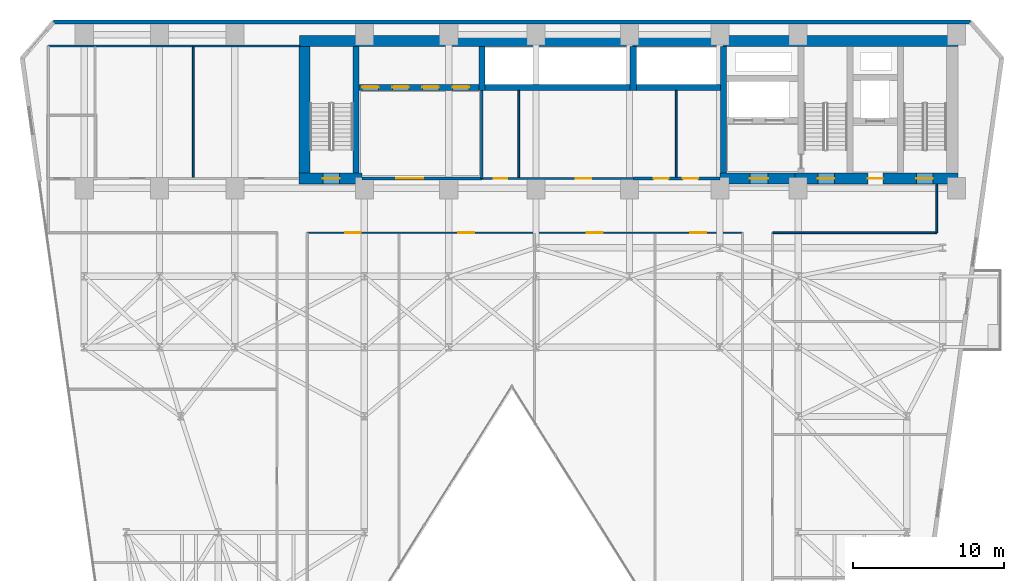
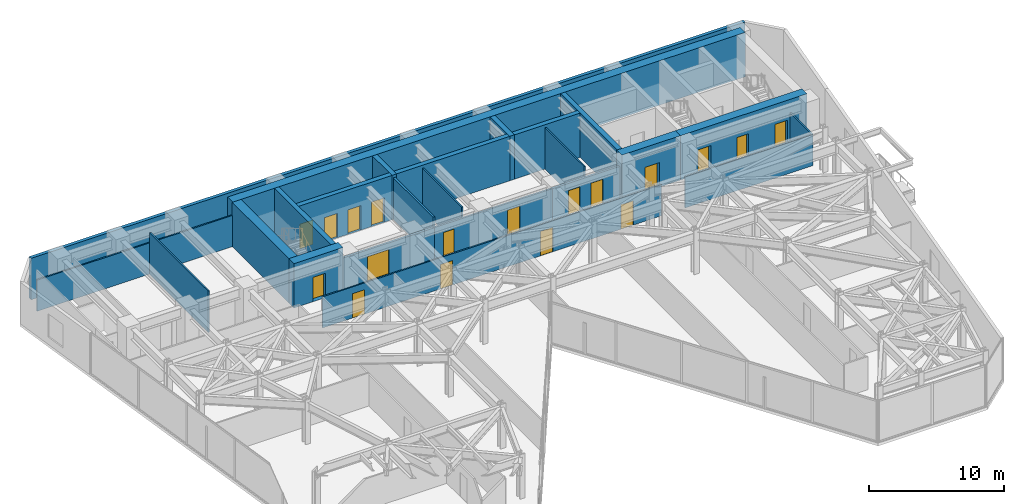
# One storey, part 20 of 24: 24 walls, 18 doors, 18 openings.
"""IFC4 building model written with IfcOpenShell, lengths in metres."""

import ifcopenshell
import ifcopenshell.guid

model = None  # the IFC model being written
_history = None  # IfcOwnerHistory: only IFC2X3 demands one
_inside = {}  # id of a spatial element -> (the spatial element, [elements in it])
_under = {}  # id of a project, library or spatial element -> (it, [spatial elements below it])
_declared = {}  # id of a project -> (the project, [libraries it declares])
_typed = {}  # id of a type object -> (the type object, [elements of that type])
_made_of = {}  # id of a material, layer set ... -> (it, [elements and type objects made of it])


def new_model(schema):
    """Start an empty IFC model of exactly this schema.

    Asked for "IFC4X3", IfcOpenShell would pick the latest addendum, in which some entities
    have other attributes; the version numbers below select the first issue.
    IFC2X3 requires an IfcOwnerHistory on every rooted entity: one is made here for all.
    """
    global model, _history
    if schema == "IFC4X3":
        model = ifcopenshell.file(schema_version=(4, 3, 0, 0))
    else:
        model = ifcopenshell.file(schema=schema)
    _inside.clear()
    _under.clear()
    _declared.clear()
    _typed.clear()
    _made_of.clear()
    _history = None
    if model.schema == "IFC2X3":
        org = make("IfcOrganization", Name="unknown")
        user = make(
            "IfcPersonAndOrganization",
            ThePerson=make("IfcPerson", FamilyName="unknown"),
            TheOrganization=org,
        )
        app = make(
            "IfcApplication",
            ApplicationDeveloper=org,
            Version="unknown",
            ApplicationFullName="unknown",
            ApplicationIdentifier="unknown",
        )
        _history = make(
            "IfcOwnerHistory",
            OwningUser=user,
            OwningApplication=app,
            ChangeAction="ADDED",
            CreationDate=0,
        )
    return model


def make(cls, **values):
    """One entity of the class cls with the attributes given. An attribute that is None is left unset."""
    return model.create_entity(
        cls, **{name: value for name, value in values.items() if value is not None}
    )


def rooted(cls, **values):
    """An entity with a GlobalId (a new one), such as an element, a storey or a relation."""
    return make(cls, GlobalId=ifcopenshell.guid.new(), OwnerHistory=_history, **values)


def si_unit(unit_type, name, prefix=None):
    """IfcSIUnit, for example si_unit("LENGTHUNIT", "METRE", prefix="MILLI")."""
    return make("IfcSIUnit", UnitType=unit_type, Prefix=prefix, Name=name)


def assignment(units):
    """IfcUnitAssignment: the units of a project."""
    return None if units is None else make("IfcUnitAssignment", Units=units)


def point(xyz):
    """IfcCartesianPoint."""
    return None if xyz is None else make("IfcCartesianPoint", Coordinates=xyz)


def direction(xyz):
    """IfcDirection."""
    return None if xyz is None else make("IfcDirection", DirectionRatios=xyz)


def frame(location, z_axis=None, x_axis=None):
    """IfcAxis2Placement3D, a coordinate frame: its origin and axes. An axis left out is left unset."""
    return make(
        "IfcAxis2Placement3D",
        Location=point(location),
        Axis=direction(z_axis),
        RefDirection=direction(x_axis),
    )


def frame_2d(location, x_axis=None):
    """IfcAxis2Placement2D, a coordinate frame in the plane: its origin and x axis."""
    return make(
        "IfcAxis2Placement2D", Location=point(location), RefDirection=direction(x_axis)
    )


def origin():
    """The frame at (0, 0, 0) with its axes left unset."""
    return frame((0.0, 0.0, 0.0))


def place(relative_to, where):
    """IfcLocalPlacement: puts the frame where relative to a parent placement (None: the world)."""
    return make(
        "IfcLocalPlacement", PlacementRelTo=relative_to, RelativePlacement=where
    )


def context(
    kind, dimensions, precision=None, world=None, true_north=None, identifier=None
):
    """IfcGeometricRepresentationContext, for example the 3D "Model" context."""
    return make(
        "IfcGeometricRepresentationContext",
        ContextIdentifier=identifier,
        ContextType=kind,
        CoordinateSpaceDimension=dimensions,
        Precision=precision,
        WorldCoordinateSystem=world,
        TrueNorth=true_north,
    )


def subcontext(parent, identifier, kind, view, scale=None):
    """IfcGeometricRepresentationSubContext, for example "Body" below "Model"."""
    return make(
        "IfcGeometricRepresentationSubContext",
        ContextIdentifier=identifier,
        ContextType=kind,
        ParentContext=parent,
        TargetScale=scale,
        TargetView=view,
    )


def project(units=None, contexts=None):
    """IfcProject with its units and contexts."""
    return rooted(
        "IfcProject",
        Name="project",
        RepresentationContexts=contexts,
        UnitsInContext=assignment(units),
    )


def spatial(cls, under=None, at=None, **own):
    """A site, building, storey or space (cls), placed at a placement, below another one or the project."""
    s = rooted(cls, ObjectPlacement=at, **own)
    if under is not None:
        _under.setdefault(under.id(), (under, []))[1].append(s)
    return s


def profile(cls, at=None, kind="AREA", **sizes):
    """A parametric profile (cls). Its sizes go by their IFC names, for example OverallWidth=200.0."""
    return make(cls, ProfileType=kind, Position=at, **sizes)


def rectangle(**sizes):
    """IfcRectangleProfileDef."""
    return profile("IfcRectangleProfileDef", **sizes)


def extrude(swept, where, along, depth):
    """IfcExtrudedAreaSolid: the profile swept, set in the frame where, extruded along a direction by depth."""
    return make(
        "IfcExtrudedAreaSolid",
        SweptArea=swept,
        Position=where,
        ExtrudedDirection=direction(along),
        Depth=depth,
    )


def shape(context_of_items, identifier, shape_type, items):
    """IfcShapeRepresentation: the items that make up one representation, for example the "Body"."""
    return make(
        "IfcShapeRepresentation",
        ContextOfItems=context_of_items,
        RepresentationIdentifier=identifier,
        RepresentationType=shape_type,
        Items=items,
    )


def material(Name=None, Category=None):
    """IfcMaterial."""
    return make("IfcMaterial", Name=Name, Category=Category)


def layer(
    of_material, thickness, ventilated=None, Name=None, Category=None, Priority=None
):
    """IfcMaterialLayer: one layer of a wall or slab, of a material (None: an air gap)."""
    return make(
        "IfcMaterialLayer",
        Material=of_material,
        LayerThickness=thickness,
        IsVentilated=ventilated,
        Name=Name,
        Category=Category,
        Priority=Priority,
    )


def layer_set(layers, Name=None):
    """IfcMaterialLayerSet."""
    return make("IfcMaterialLayerSet", MaterialLayers=layers, LayerSetName=Name)


def made_of(thing, what):
    """Note that an element or type object is made of a material, layer set ...; save() writes the relation."""
    if what is not None:
        _made_of.setdefault(what.id(), (what, []))[1].append(thing)
    return thing


def type_object(cls, material=None, **own):
    """A type object (cls), such as IfcWallType, which elements share."""
    return made_of(rooted(cls, **own), material)


def element(
    cls,
    number,
    at=None,
    inside=None,
    cuts=None,
    type_object=None,
    material=None,
    context=None,
    identifier="Body",
    shape_type=None,
    held_by="IfcProductDefinitionShape",
    body=None,
    shapes=None,
    **own,
):
    """One element of the class cls, such as IfcWall. Its Tag is "e" and its number.

    at: its placement. inside: the storey or other place that contains it. cuts: it is an
    opening in that element (IfcRelVoidsElement). A single representation is given by context,
    identifier, shape_type and body (its items); several are given by shapes. held_by: the class
    of the entity that holds the representations. save() writes the other relations.
    """
    e = rooted(cls, Tag="e%d" % number, ObjectPlacement=at, **own)
    if body is not None:
        shapes = [shape(context, identifier, shape_type, body)]
    if shapes is not None:
        e.Representation = make(held_by, Representations=shapes)
    if inside is not None:
        _inside.setdefault(inside.id(), (inside, []))[1].append(e)
    if cuts is not None:
        rooted(
            "IfcRelVoidsElement", RelatingBuildingElement=cuts, RelatedOpeningElement=e
        )
    if type_object is not None:
        _typed.setdefault(type_object.id(), (type_object, []))[1].append(e)
    return made_of(e, material)


def fill(opening, filler):
    """IfcRelFillsElement: the door or window that sits in an opening."""
    return rooted(
        "IfcRelFillsElement",
        RelatingOpeningElement=opening,
        RelatedBuildingElement=filler,
    )


def aggregate(whole, parts):
    """IfcRelAggregates: a whole, such as a stair, and the parts it consists of."""
    return rooted("IfcRelAggregates", RelatingObject=whole, RelatedObjects=parts)


def save(model, path):
    """Write the relations noted so far, then the file.

    IfcRelAggregates (storeys below a building ...), IfcRelContainedInSpatialStructure (elements
    in a storey), IfcRelDefinesByType, IfcRelAssociatesMaterial and IfcRelDeclares: one each for
    every whole, place, type object, material and project.
    """
    for whole, parts in _under.values():
        aggregate(whole, parts)
    for where, things in _inside.values():
        rooted(
            "IfcRelContainedInSpatialStructure",
            RelatedElements=things,
            RelatingStructure=where,
        )
    for kind, things in _typed.values():
        rooted("IfcRelDefinesByType", RelatedObjects=things, RelatingType=kind)
    for what, things in _made_of.values():
        rooted("IfcRelAssociatesMaterial", RelatedObjects=things, RelatingMaterial=what)
    for by, libraries in _declared.values():
        rooted("IfcRelDeclares", RelatingContext=by, RelatedDefinitions=libraries)
    model.write(path)


model = new_model("IFC4")

# Units and contexts
model_context = context("Model", 3, precision=1e-05, world=origin(), true_north=direction((0.0, 1.0)))
body_context = subcontext(model_context, "Body", "Model", "MODEL_VIEW")
ifc_project = project(units=[si_unit("LENGTHUNIT", "METRE"), si_unit("AREAUNIT", "SQUARE_METRE"), si_unit("VOLUMEUNIT", "CUBIC_METRE"), si_unit("PLANEANGLEUNIT", "RADIAN"), si_unit("MASSUNIT", "GRAM", prefix="KILO")], contexts=[model_context])

# Site, building, storey
site_placement = place(None, origin())
site = spatial("IfcSite", under=ifc_project, at=site_placement, CompositionType="ELEMENT")
building_placement = place(site_placement, origin())
building = spatial("IfcBuilding", under=site, at=building_placement, Name="Kravanh Interchange Tower", CompositionType="ELEMENT")
storey_placement = place(building_placement, frame((0.0, 0.0, 69.5)))
storey = spatial("IfcBuildingStorey", under=building, at=storey_placement, Name="L16", CompositionType="ELEMENT", Elevation=69.5)

# Walls
ifc_material_1 = material(Name="Double Acoustic Gypsum Board and Mineral Wool")
ifc_layer_1 = layer(ifc_material_1, 0.1201171875)
ifc_layer_set_1 = layer_set([ifc_layer_1], Name="Acoustic Office Drywall Partition 120mm")
wall_type_1 = type_object("IfcWallType", Name="Acoustic Office Drywall Partition 120mm", PredefinedType="PARTITIONING", material=ifc_layer_set_1)
for number, where, z_axis, x_axis, name in (
    (1, (47.89990234375, 38.068115234375, 0.0), (0.0, 0.0, 1.0), (0.0, 1.0, 0.0), "L16 Interior Partition 2"),
    (2, (37.449951171875, 38.068115234375, 0.0), (0.0, 0.0, 1.0), (0.0, 1.0, 0.0), "L16 Interior Partition 6"),
):
    element("IfcWall", number, at=place(storey_placement, frame(where, z_axis=z_axis, x_axis=x_axis)), inside=storey, type_object=wall_type_1, Name=name, PredefinedType="PARTITIONING", context=body_context, shape_type="SweptSolid", body=[
        extrude(rectangle(XDim=5.77392578125, YDim=0.1201171875, at=frame_2d((2.886962890625, 0.0))), origin(), (0.0, 0.0, 1.0), 3.739990234375),
    ])
wall_1_placement = place(storey_placement, frame((6.219970703125, 46.800048828125, 0.0), z_axis=(0.0, 0.0, 1.0), x_axis=(1.0, 0.0, 0.0)))
element("IfcWall", 3, at=wall_1_placement, inside=storey, type_object=wall_type_1, Name="L16 Restroom North Enclosure 9", PredefinedType="PARTITIONING", context=body_context, shape_type="SweptSolid", body=[
    extrude(rectangle(XDim=16.679931640625, YDim=0.1201171875, at=frame_2d((8.33984375, 0.0))), origin(), (0.0, 0.0, 1.0), 2.81298828125),
])
wall_2_placement = place(storey_placement, frame((15.840087890625, 38.068115234375, 0.0), z_axis=(0.0, 0.0, 1.0), x_axis=(0.0, 1.0, 0.0)))
element("IfcWall", 4, at=wall_2_placement, inside=storey, type_object=wall_type_1, Name="L16 Interior Partition 11", PredefinedType="PARTITIONING", context=body_context, shape_type="SweptSolid", body=[
    extrude(rectangle(XDim=8.663818359375, YDim=0.1201171875, at=frame_2d((4.33203125, 0.0))), origin(), (0.0, 0.0, 1.0), 3.739990234375),
])

# Wall, openings, doors
wall_3_placement = place(storey_placement, frame((23.39990234375, 34.39990234375, 0.0), z_axis=(0.0, 0.0, 1.0), x_axis=(1.0, 0.0, 0.0)))
wall_3 = element("IfcWall", 5, at=wall_3_placement, inside=storey, type_object=wall_type_1, Name="L16 Interior Partition 14", PredefinedType="PARTITIONING", context=body_context, shape_type="SweptSolid", body=[
    extrude(rectangle(XDim=28.900146484375, YDim=0.1201171875, at=frame_2d((14.4501953125, 0.0))), origin(), (0.0, 0.0, 1.0), 2.81298828125),
])
opening_1_placement = place(wall_3_placement, frame((2.52490234375, 0.0, 0.0)))
opening_1 = element("IfcOpeningElement", 6, at=opening_1_placement, cuts=wall_3, Name="Opening D-105", PredefinedType="OPENING", context=body_context, shape_type="SweptSolid", body=[
    extrude(rectangle(XDim=1.050048828125, YDim=2.199951171875, at=frame_2d((0.52490234375, 1.10009765625))), frame((0.0, 0.070068359375, 0.0), z_axis=(0.0, -1.0, 0.0), x_axis=(1.0, 0.0, 0.0)), (0.0, 0.0, 1.0), 0.14013671875),
])
opening_2_placement = place(wall_3_placement, frame((10.034912109375, 0.0, 0.0)))
opening_2 = element("IfcOpeningElement", 7, at=opening_2_placement, cuts=wall_3, Name="Opening D-105", PredefinedType="OPENING", context=body_context, shape_type="SweptSolid", body=[
    extrude(rectangle(XDim=1.050048828125, YDim=2.199951171875, at=frame_2d((0.52490234375, 1.10009765625))), frame((0.0, 0.070068359375, 0.0), z_axis=(0.0, -1.0, 0.0), x_axis=(1.0, 0.0, 0.0)), (0.0, 0.0, 1.0), 0.14013671875),
])
opening_3_placement = place(wall_3_placement, frame((18.574951171875, 0.0, 0.0)))
opening_3 = element("IfcOpeningElement", 8, at=opening_3_placement, cuts=wall_3, Name="Opening D-105", PredefinedType="OPENING", context=body_context, shape_type="SweptSolid", body=[
    extrude(rectangle(XDim=1.050048828125, YDim=2.199951171875, at=frame_2d((0.52490234375, 1.10009765625))), frame((0.0, 0.070068359375, 0.0), z_axis=(0.0, -1.0, 0.0), x_axis=(1.0, 0.0, 0.0)), (0.0, 0.0, 1.0), 0.14013671875),
])
opening_4_placement = place(wall_3_placement, frame((25.434814453125, 0.0, 0.0)))
opening_4 = element("IfcOpeningElement", 9, at=opening_4_placement, cuts=wall_3, Name="Opening D-105", PredefinedType="OPENING", context=body_context, shape_type="SweptSolid", body=[
    extrude(rectangle(XDim=1.050048828125, YDim=2.199951171875, at=frame_2d((0.52490234375, 1.10009765625))), frame((0.0, 0.070068359375, 0.0), z_axis=(0.0, -1.0, 0.0), x_axis=(1.0, 0.0, 0.0)), (0.0, 0.0, 1.0), 0.14013671875),
])
ifc_material_2 = material(Name="Acoustic Glazed Oak and Aluminium", Category="aluminium")
door_type_1 = type_object("IfcDoorType", Name="Office Workplace Door 1050x2200", OperationType="NOTDEFINED", PredefinedType="DOOR", material=ifc_material_2)
door_1_placement = place(opening_1_placement, origin())
door_1 = element("IfcDoor", 10, at=door_1_placement, inside=storey, type_object=door_type_1, Name="L16 Diplomatic Caucus Meeting Door", OperationType="SINGLE_SWING_RIGHT", OverallHeight=2.199951171875, OverallWidth=1.050048828125, PredefinedType="DOOR", context=body_context, shape_type="SweptSolid", body=[
    extrude(rectangle(XDim=1.050048828125, YDim=2.199951171875, at=frame_2d((0.52490234375, 1.10009765625))), frame((0.0, 0.02490234375, 0.0), z_axis=(0.0, -1.0, 0.0), x_axis=(1.0, 0.0, 0.0)), (0.0, 0.0, 1.0), 0.050048828125),
])
fill(opening_1, door_1)
door_2_placement = place(opening_2_placement, origin())
door_2 = element("IfcDoor", 11, at=door_2_placement, inside=storey, type_object=door_type_1, Name="L16 Press Seminar Meeting Door", OperationType="SINGLE_SWING_LEFT", OverallHeight=2.199951171875, OverallWidth=1.050048828125, PredefinedType="DOOR", context=body_context, shape_type="SweptSolid", body=[
    extrude(rectangle(XDim=1.050048828125, YDim=2.199951171875, at=frame_2d((0.52490234375, 1.10009765625))), frame((0.0, 0.02490234375, 0.0), z_axis=(0.0, -1.0, 0.0), x_axis=(1.0, 0.0, 0.0)), (0.0, 0.0, 1.0), 0.050048828125),
])
fill(opening_2, door_2)
door_3_placement = place(opening_3_placement, origin())
door_3 = element("IfcDoor", 12, at=door_3_placement, inside=storey, type_object=door_type_1, Name="L16 Chancery Office Door", OperationType="SINGLE_SWING_RIGHT", OverallHeight=2.199951171875, OverallWidth=1.050048828125, PredefinedType="DOOR", context=body_context, shape_type="SweptSolid", body=[
    extrude(rectangle(XDim=1.050048828125, YDim=2.199951171875, at=frame_2d((0.52490234375, 1.10009765625))), frame((0.0, 0.02490234375, 0.0), z_axis=(0.0, -1.0, 0.0), x_axis=(1.0, 0.0, 0.0)), (0.0, 0.0, 1.0), 0.050048828125),
])
fill(opening_3, door_3)
door_4_placement = place(opening_4_placement, origin())
door_4 = element("IfcDoor", 13, at=door_4_placement, inside=storey, type_object=door_type_1, Name="L16 Butler Pantry Kitchenette Door", OperationType="SINGLE_SWING_LEFT", OverallHeight=2.199951171875, OverallWidth=1.050048828125, PredefinedType="DOOR", context=body_context, shape_type="SweptSolid", body=[
    extrude(rectangle(XDim=1.050048828125, YDim=2.199951171875, at=frame_2d((0.52490234375, 1.10009765625))), frame((0.0, 0.02490234375, 0.0), z_axis=(0.0, -1.0, 0.0), x_axis=(1.0, 0.0, 0.0)), (0.0, 0.0, 1.0), 0.050048828125),
])
fill(opening_4, door_4)

# Walls
wall_4_placement = place(storey_placement, frame((54.300048828125, 34.39990234375, 0.0), z_axis=(0.0, 0.0, 1.0), x_axis=(1.0, 0.0, 0.0)))
element("IfcWall", 14, at=wall_4_placement, inside=storey, type_object=wall_type_1, Name="L16 Interior Partition 15", PredefinedType="PARTITIONING", context=body_context, shape_type="SweptSolid", body=[
    extrude(rectangle(XDim=10.89990234375, YDim=0.1201171875, at=frame_2d((5.449951171875, 0.0))), origin(), (0.0, 0.0, 1.0), 2.81298828125),
])
wall_5_placement = place(storey_placement, frame((65.199951171875, 34.39990234375, 0.0), z_axis=(0.0, 0.0, 1.0), x_axis=(0.0, 1.0, 0.0)))
element("IfcWall", 15, at=wall_5_placement, inside=storey, type_object=wall_type_1, Name="L16 Interior Partition 17", PredefinedType="PARTITIONING", context=body_context, shape_type="SweptSolid", body=[
    extrude(rectangle(XDim=3.217041015625, YDim=0.1201171875, at=frame_2d((1.6083984375, 0.0))), origin(), (0.0, 0.0, 1.0), 2.81298828125),
])
ifc_material_3 = material(Name="Concrete C80/95", Category="concrete")
ifc_layer_2 = layer(ifc_material_3, 0.39990234375)
ifc_layer_set_2 = layer_set([ifc_layer_2], Name="Core Shear Wall Concrete C80/95 400mm")
wall_type_2 = type_object("IfcWallType", Name="Core Shear Wall Concrete C80/95 400mm", PredefinedType="SHEAR", material=ifc_layer_set_2)
wall_6_placement = place(storey_placement, frame((51.050048828125, 38.375, 0.0), z_axis=(0.0, 0.0, 1.0), x_axis=(0.0, 1.0, 0.0)))
element("IfcWall", 16, at=wall_6_placement, inside=storey, type_object=wall_type_2, Name="L16 Firefighting Lobby West Wall", PredefinedType="SHEAR", context=body_context, shape_type="SweptSolid", body=[
    extrude(rectangle(XDim=8.375, YDim=0.39990234375, at=frame_2d((4.1875, 0.0))), origin(), (0.0, 0.0, 1.0), 4.0),
])
wall_7_placement = place(storey_placement, frame((45.25, 44.050048828125, 0.0), z_axis=(0.0, 0.0, 1.0), x_axis=(1.0, 0.0, 0.0)))
element("IfcWall", 17, at=wall_7_placement, inside=storey, type_object=wall_type_2, Name="L16 High-Rise Lift Shaft South Wall", PredefinedType="SHEAR", context=body_context, shape_type="SweptSolid", body=[
    extrude(rectangle(XDim=5.60009765625, YDim=0.39990234375, at=frame_2d((2.800048828125, 0.0))), origin(), (0.0, 0.0, 1.0), 4.0),
])
wall_8_placement = place(storey_placement, frame((45.050048828125, 43.85009765625, 0.0), z_axis=(0.0, 0.0, 1.0), x_axis=(0.0, 1.0, 0.0)))
element("IfcWall", 18, at=wall_8_placement, inside=storey, type_object=wall_type_2, Name="L16 High-Rise Lift Shaft West Wall", PredefinedType="SHEAR", context=body_context, shape_type="SweptSolid", body=[
    extrude(rectangle(XDim=2.89990234375, YDim=0.39990234375, at=frame_2d((1.449951171875, 0.0))), origin(), (0.0, 0.0, 1.0), 4.0),
])
wall_9_placement = place(storey_placement, frame((35.199951171875, 44.050048828125, 0.0), z_axis=(0.0, 0.0, 1.0), x_axis=(1.0, 0.0, 0.0)))
element("IfcWall", 19, at=wall_9_placement, inside=storey, type_object=wall_type_2, Name="L16 Mid-Rise Lift Shaft South Wall", PredefinedType="SHEAR", context=body_context, shape_type="SweptSolid", body=[
    extrude(rectangle(XDim=9.650146484375, YDim=0.39990234375, at=frame_2d((4.8251953125, 0.0))), origin(), (0.0, 0.0, 1.0), 4.0),
])
wall_10_placement = place(storey_placement, frame((35.0, 43.85009765625, 0.0), z_axis=(0.0, 0.0, 1.0), x_axis=(0.0, 1.0, 0.0)))
element("IfcWall", 20, at=wall_10_placement, inside=storey, type_object=wall_type_2, Name="L16 Mid-Rise Lift Shaft West Wall", PredefinedType="SHEAR", context=body_context, shape_type="SweptSolid", body=[
    extrude(rectangle(XDim=2.89990234375, YDim=0.39990234375, at=frame_2d((1.449951171875, 0.0))), origin(), (0.0, 0.0, 1.0), 4.0),
])

# Wall, openings, doors
wall_11_placement = place(storey_placement, frame((26.85009765625, 44.050048828125, 0.0), z_axis=(0.0, 0.0, 1.0), x_axis=(1.0, 0.0, 0.0)))
wall_11 = element("IfcWall", 21, at=wall_11_placement, inside=storey, type_object=wall_type_2, Name="L16 Low-Rise Lift Shaft South Wall", PredefinedType="SHEAR", context=body_context, shape_type="SweptSolid", body=[
    extrude(rectangle(XDim=7.949951171875, YDim=0.39990234375, at=frame_2d((3.97509765625, 0.0))), origin(), (0.0, 0.0, 1.0), 4.0),
])
opening_5_placement = place(wall_11_placement, frame((0.199951171875, 0.0, 0.0)))
opening_5 = element("IfcOpeningElement", 22, at=opening_5_placement, cuts=wall_11, Name="Opening LD01", PredefinedType="OPENING", context=body_context, shape_type="SweptSolid", body=[
    extrude(rectangle(XDim=1.10009765625, YDim=2.199951171875, at=frame_2d((0.550048828125, 1.10009765625))), frame((0.0, 0.2099609375, 0.0), z_axis=(0.0, -1.0, 0.0), x_axis=(1.0, 0.0, 0.0)), (0.0, 0.0, 1.0), 0.419921875),
])
opening_6_placement = place(wall_11_placement, frame((2.199951171875, 0.0, 0.0)))
opening_6 = element("IfcOpeningElement", 23, at=opening_6_placement, cuts=wall_11, Name="Opening LD01", PredefinedType="OPENING", context=body_context, shape_type="SweptSolid", body=[
    extrude(rectangle(XDim=1.10009765625, YDim=2.199951171875, at=frame_2d((0.550048828125, 1.10009765625))), frame((0.0, 0.2099609375, 0.0), z_axis=(0.0, -1.0, 0.0), x_axis=(1.0, 0.0, 0.0)), (0.0, 0.0, 1.0), 0.419921875),
])
opening_7_placement = place(wall_11_placement, frame((4.199951171875, 0.0, 0.0)))
opening_7 = element("IfcOpeningElement", 24, at=opening_7_placement, cuts=wall_11, Name="Opening LD01", PredefinedType="OPENING", context=body_context, shape_type="SweptSolid", body=[
    extrude(rectangle(XDim=1.10009765625, YDim=2.199951171875, at=frame_2d((0.550048828125, 1.10009765625))), frame((0.0, 0.2099609375, 0.0), z_axis=(0.0, -1.0, 0.0), x_axis=(1.0, 0.0, 0.0)), (0.0, 0.0, 1.0), 0.419921875),
])
opening_8_placement = place(wall_11_placement, frame((6.199951171875, 0.0, 0.0)))
opening_8 = element("IfcOpeningElement", 25, at=opening_8_placement, cuts=wall_11, Name="Opening LD01", PredefinedType="OPENING", context=body_context, shape_type="SweptSolid", body=[
    extrude(rectangle(XDim=1.10009765625, YDim=2.199951171875, at=frame_2d((0.550048828125, 1.10009765625))), frame((0.0, 0.2099609375, 0.0), z_axis=(0.0, -1.0, 0.0), x_axis=(1.0, 0.0, 0.0)), (0.0, 0.0, 1.0), 0.419921875),
])
ifc_material_4 = material(Name="Stainless Steel 304", Category="steel")
door_type_2 = type_object("IfcDoorType", Name="Passenger Lift Sliding Landing Door 1100x2200", OperationType="DOUBLE_DOOR_SLIDING", PredefinedType="DOOR", material=ifc_material_4)
door_5_placement = place(opening_5_placement, origin())
door_5 = element("IfcDoor", 26, at=door_5_placement, inside=storey, type_object=door_type_2, Name="L16 Lift LP-L1 Landing Door", OperationType="DOUBLE_DOOR_SLIDING", OverallHeight=2.199951171875, OverallWidth=1.10009765625, PredefinedType="DOOR", context=body_context, shape_type="SweptSolid", body=[
    extrude(rectangle(XDim=1.10009765625, YDim=2.199951171875, at=frame_2d((0.550048828125, 1.10009765625))), frame((0.0, 0.02490234375, 0.0), z_axis=(0.0, -1.0, 0.0), x_axis=(1.0, 0.0, 0.0)), (0.0, 0.0, 1.0), 0.050048828125),
])
fill(opening_5, door_5)
door_6_placement = place(opening_6_placement, origin())
door_6 = element("IfcDoor", 27, at=door_6_placement, inside=storey, type_object=door_type_2, Name="L16 Lift LP-L2 Landing Door", OperationType="DOUBLE_DOOR_SLIDING", OverallHeight=2.199951171875, OverallWidth=1.10009765625, PredefinedType="DOOR", context=body_context, shape_type="SweptSolid", body=[
    extrude(rectangle(XDim=1.10009765625, YDim=2.199951171875, at=frame_2d((0.550048828125, 1.10009765625))), frame((0.0, 0.02490234375, 0.0), z_axis=(0.0, -1.0, 0.0), x_axis=(1.0, 0.0, 0.0)), (0.0, 0.0, 1.0), 0.050048828125),
])
fill(opening_6, door_6)
door_7_placement = place(opening_7_placement, origin())
door_7 = element("IfcDoor", 28, at=door_7_placement, inside=storey, type_object=door_type_2, Name="L16 Lift LP-L3 Landing Door", OperationType="DOUBLE_DOOR_SLIDING", OverallHeight=2.199951171875, OverallWidth=1.10009765625, PredefinedType="DOOR", context=body_context, shape_type="SweptSolid", body=[
    extrude(rectangle(XDim=1.10009765625, YDim=2.199951171875, at=frame_2d((0.550048828125, 1.10009765625))), frame((0.0, 0.02490234375, 0.0), z_axis=(0.0, -1.0, 0.0), x_axis=(1.0, 0.0, 0.0)), (0.0, 0.0, 1.0), 0.050048828125),
])
fill(opening_7, door_7)
door_8_placement = place(opening_8_placement, origin())
door_8 = element("IfcDoor", 29, at=door_8_placement, inside=storey, type_object=door_type_2, Name="L16 Lift LP-L4 Landing Door", OperationType="DOUBLE_DOOR_SLIDING", OverallHeight=2.199951171875, OverallWidth=1.10009765625, PredefinedType="DOOR", context=body_context, shape_type="SweptSolid", body=[
    extrude(rectangle(XDim=1.10009765625, YDim=2.199951171875, at=frame_2d((0.550048828125, 1.10009765625))), frame((0.0, 0.02490234375, 0.0), z_axis=(0.0, -1.0, 0.0), x_axis=(1.0, 0.0, 0.0)), (0.0, 0.0, 1.0), 0.050048828125),
])
fill(opening_8, door_8)

# Walls
wall_12_placement = place(storey_placement, frame((26.64990234375, 38.375, 0.0), z_axis=(0.0, 0.0, 1.0), x_axis=(0.0, 1.0, 0.0)))
element("IfcWall", 30, at=wall_12_placement, inside=storey, type_object=wall_type_2, Name="L16 Stair ST3 East Shear Wall", PredefinedType="SHEAR", context=body_context, shape_type="SweptSolid", body=[
    extrude(rectangle(XDim=8.375, YDim=0.39990234375, at=frame_2d((4.1875, 0.0))), origin(), (0.0, 0.0, 1.0), 4.0),
])
ifc_material_5 = material(Name="Concrete C80/95", Category="concrete")
ifc_layer_3 = layer(ifc_material_5, 0.75)
ifc_layer_set_3 = layer_set([ifc_layer_3], Name="Core Shear Wall Concrete C80/95 750mm")
wall_type_3 = type_object("IfcWallType", Name="Core Shear Wall Concrete C80/95 750mm", PredefinedType="SHEAR", material=ifc_layer_set_3)
wall_13_placement = place(storey_placement, frame((22.89990234375, 47.125, 0.0), z_axis=(0.0, 0.0, 1.0), x_axis=(1.0, 0.0, 0.0)))
element("IfcWall", 31, at=wall_13_placement, inside=storey, type_object=wall_type_3, Name="L16 North Core Shear Wall", PredefinedType="SHEAR", context=body_context, shape_type="SweptSolid", body=[
    extrude(rectangle(XDim=43.7001953125, YDim=0.75, at=frame_2d((21.85009765625, 0.0))), origin(), (0.0, 0.0, 1.0), 4.0),
])

# Wall, openings, doors
wall_14_placement = place(storey_placement, frame((55.800048828125, 38.0, 0.0), z_axis=(0.0, 0.0, 1.0), x_axis=(1.0, 0.0, 0.0)))
wall_14 = element("IfcWall", 32, at=wall_14_placement, inside=storey, type_object=wall_type_3, Name="L16 East Core South Shear Wall", PredefinedType="SHEAR", context=body_context, shape_type="SweptSolid", body=[
    extrude(rectangle(XDim=10.800048828125, YDim=0.75, at=frame_2d((5.39990234375, 0.0))), origin(), (0.0, 0.0, 1.0), 4.0),
])
opening_9_placement = place(wall_14_placement, frame((1.5, 0.0, 0.0)))
opening_9 = element("IfcOpeningElement", 33, at=opening_9_placement, cuts=wall_14, Name="Opening D-STAIR-110", PredefinedType="OPENING", context=body_context, shape_type="SweptSolid", body=[
    extrude(rectangle(XDim=1.10009765625, YDim=2.199951171875, at=frame_2d((0.550048828125, 1.10009765625))), frame((0.0, 0.385009765625, 0.0), z_axis=(0.0, -1.0, 0.0), x_axis=(1.0, 0.0, 0.0)), (0.0, 0.0, 1.0), 0.77001953125),
])
opening_10_placement = place(wall_14_placement, frame((4.820068359375, 0.0, 0.0)))
opening_10 = element("IfcOpeningElement", 34, at=opening_10_placement, cuts=wall_14, Name="Opening D-HOTEL-100", PredefinedType="OPENING", context=body_context, shape_type="SweptSolid", body=[
    extrude(rectangle(XDim=1.0, YDim=2.14990234375, at=frame_2d((0.5, 1.074951171875))), frame((0.0, 0.385009765625, 0.0), z_axis=(0.0, -1.0, 0.0), x_axis=(1.0, 0.0, 0.0)), (0.0, 0.0, 1.0), 0.77001953125),
])
opening_11_placement = place(wall_14_placement, frame((8.050048828125, 0.0, 0.0)))
opening_11 = element("IfcOpeningElement", 35, at=opening_11_placement, cuts=wall_14, Name="Opening D-STAIR-110", PredefinedType="OPENING", context=body_context, shape_type="SweptSolid", body=[
    extrude(rectangle(XDim=1.10009765625, YDim=2.199951171875, at=frame_2d((0.550048828125, 1.10009765625))), frame((0.0, 0.385009765625, 0.0), z_axis=(0.0, -1.0, 0.0), x_axis=(1.0, 0.0, 0.0)), (0.0, 0.0, 1.0), 0.77001953125),
])
ifc_material_6 = material(Name="Structural Steel S355", Category="steel")
door_type_3 = type_object("IfcDoorType", Name="Fire-Rated Exit Stair Door 1100x2200", OperationType="NOTDEFINED", PredefinedType="DOOR", material=ifc_material_6)
door_9_placement = place(opening_9_placement, origin())
door_9 = element("IfcDoor", 36, at=door_9_placement, inside=storey, type_object=door_type_3, Name="L16 Exit Stair ST2 Door", OperationType="SINGLE_SWING_RIGHT", OverallHeight=2.199951171875, OverallWidth=1.10009765625, PredefinedType="DOOR", context=body_context, shape_type="SweptSolid", body=[
    extrude(rectangle(XDim=1.10009765625, YDim=2.199951171875, at=frame_2d((0.550048828125, 1.10009765625))), frame((0.0, 0.02490234375, 0.0), z_axis=(0.0, -1.0, 0.0), x_axis=(1.0, 0.0, 0.0)), (0.0, 0.0, 1.0), 0.050048828125),
])
fill(opening_9, door_9)
door_10_placement = place(opening_11_placement, origin())
door_10 = element("IfcDoor", 37, at=door_10_placement, inside=storey, type_object=door_type_3, Name="L16 Exit Stair ST1 Door", OperationType="SINGLE_SWING_RIGHT", OverallHeight=2.199951171875, OverallWidth=1.10009765625, PredefinedType="DOOR", context=body_context, shape_type="SweptSolid", body=[
    extrude(rectangle(XDim=1.10009765625, YDim=2.199951171875, at=frame_2d((0.550048828125, 1.10009765625))), frame((0.0, 0.02490234375, 0.0), z_axis=(0.0, -1.0, 0.0), x_axis=(1.0, 0.0, 0.0)), (0.0, 0.0, 1.0), 0.050048828125),
])
fill(opening_11, door_10)
ifc_material_7 = material(Name="Fire-Rated Solid Timber Leaf", Category="wood")
door_type_4 = type_object("IfcDoorType", Name="Fire-Rated Suite Entrance Door 1000x2150", OperationType="NOTDEFINED", PredefinedType="DOOR", material=ifc_material_7)
door_11_placement = place(opening_10_placement, origin())
door_11 = element("IfcDoor", 38, at=door_11_placement, inside=storey, type_object=door_type_4, Name="L16 Service Lift Lobby Door", OperationType="SINGLE_SWING_RIGHT", OverallHeight=2.14990234375, OverallWidth=1.0, PredefinedType="DOOR", context=body_context, shape_type="SweptSolid", body=[
    extrude(rectangle(XDim=1.0, YDim=2.14990234375, at=frame_2d((0.5, 1.074951171875))), frame((0.0, 0.02490234375, 0.0), z_axis=(0.0, -1.0, 0.0), x_axis=(1.0, 0.0, 0.0)), (0.0, 0.0, 1.0), 0.050048828125),
])
fill(opening_10, door_11)

# Wall, opening, door
wall_15_placement = place(storey_placement, frame((50.800048828125, 38.0, 0.0), z_axis=(0.0, 0.0, 1.0), x_axis=(1.0, 0.0, 0.0)))
wall_15 = element("IfcWall", 39, at=wall_15_placement, inside=storey, type_object=wall_type_3, Name="L16 Firefighting Lobby South Shear Wall", PredefinedType="SHEAR", context=body_context, shape_type="SweptSolid", body=[
    extrude(rectangle(XDim=5.0, YDim=0.75, at=frame_2d((2.5, 0.0))), origin(), (0.0, 0.0, 1.0), 4.0),
])
opening_12_placement = place(wall_15_placement, frame((2.0, 0.0, 0.0)))
opening_12 = element("IfcOpeningElement", 40, at=opening_12_placement, cuts=wall_15, Name="Opening D-FSAE-120", PredefinedType="OPENING", context=body_context, shape_type="SweptSolid", body=[
    extrude(rectangle(XDim=1.199951171875, YDim=2.199951171875, at=frame_2d((0.60009765625, 1.10009765625))), frame((0.0, 0.385009765625, 0.0), z_axis=(0.0, -1.0, 0.0), x_axis=(1.0, 0.0, 0.0)), (0.0, 0.0, 1.0), 0.77001953125),
])
ifc_material_8 = material(Name="Structural Steel S355", Category="steel")
door_type_5 = type_object("IfcDoorType", Name="Fire-Rated Refuge and FSAE Door 1200x2200", OperationType="NOTDEFINED", PredefinedType="DOOR", material=ifc_material_8)
door_12_placement = place(opening_12_placement, origin())
door_12 = element("IfcDoor", 41, at=door_12_placement, inside=storey, type_object=door_type_5, Name="L16 Firefighting Lobby Corridor Door", OperationType="SINGLE_SWING_RIGHT", OverallHeight=2.199951171875, OverallWidth=1.199951171875, PredefinedType="DOOR", context=body_context, shape_type="SweptSolid", body=[
    extrude(rectangle(XDim=1.199951171875, YDim=2.199951171875, at=frame_2d((0.60009765625, 1.10009765625))), frame((0.0, 0.02490234375, 0.0), z_axis=(0.0, -1.0, 0.0), x_axis=(1.0, 0.0, 0.0)), (0.0, 0.0, 1.0), 0.050048828125),
])
fill(opening_12, door_12)

wall_16_placement = place(storey_placement, frame((22.85009765625, 38.0, 0.0), z_axis=(0.0, 0.0, 1.0), x_axis=(1.0, 0.0, 0.0)))
wall_16 = element("IfcWall", 42, at=wall_16_placement, inside=storey, type_object=wall_type_3, Name="L16 Stair ST3 South Shear Wall", PredefinedType="SHEAR", context=body_context, shape_type="SweptSolid", body=[
    extrude(rectangle(XDim=4.199951171875, YDim=0.75, at=frame_2d((2.10009765625, 0.0))), origin(), (0.0, 0.0, 1.0), 4.0),
])
opening_13_placement = place(wall_16_placement, frame((1.60009765625, 0.0, 0.0)))
opening_13 = element("IfcOpeningElement", 43, at=opening_13_placement, cuts=wall_16, Name="Opening D-STAIR-110", PredefinedType="OPENING", context=body_context, shape_type="SweptSolid", body=[
    extrude(rectangle(XDim=1.10009765625, YDim=2.199951171875, at=frame_2d((0.550048828125, 1.10009765625))), frame((0.0, 0.385009765625, 0.0), z_axis=(0.0, -1.0, 0.0), x_axis=(1.0, 0.0, 0.0)), (0.0, 0.0, 1.0), 0.77001953125),
])
door_13_placement = place(opening_13_placement, origin())
door_13 = element("IfcDoor", 44, at=door_13_placement, inside=storey, type_object=door_type_3, Name="L16 Exit Stair ST3 Door", OperationType="SINGLE_SWING_RIGHT", OverallHeight=2.199951171875, OverallWidth=1.10009765625, PredefinedType="DOOR", context=body_context, shape_type="SweptSolid", body=[
    extrude(rectangle(XDim=1.10009765625, YDim=2.199951171875, at=frame_2d((0.550048828125, 1.10009765625))), frame((0.0, 0.02490234375, 0.0), z_axis=(0.0, -1.0, 0.0), x_axis=(1.0, 0.0, 0.0)), (0.0, 0.0, 1.0), 0.050048828125),
])
fill(opening_13, door_13)

# Walls
wall_17_placement = place(storey_placement, frame((23.22509765625, 38.375, 0.0), z_axis=(0.0, 0.0, 1.0), x_axis=(0.0, 1.0, 0.0)))
element("IfcWall", 45, at=wall_17_placement, inside=storey, type_object=wall_type_3, Name="L16 Stair ST3 West Shear Wall", PredefinedType="SHEAR", context=body_context, shape_type="SweptSolid", body=[
    extrude(rectangle(XDim=8.375, YDim=0.75, at=frame_2d((4.1875, 0.0))), origin(), (0.0, 0.0, 1.0), 4.0),
])
ifc_material_9 = material(Name="Insulated Precast Concrete C40/50 with Bronze Cladding", Category="concrete")
ifc_layer_4 = layer(ifc_material_9, 0.280029296875)
ifc_layer_set_4 = layer_set([ifc_layer_4], Name="Exterior Insulated Concrete C40/50 Bronze Spandrel Wall 280mm")
wall_type_4 = type_object("IfcWallType", Name="Exterior Insulated Concrete C40/50 Bronze Spandrel Wall 280mm", PredefinedType="STANDARD", material=ifc_layer_set_4)
wall_18_placement = place(storey_placement, frame((6.5546875, 48.3798828125, 0.0), z_axis=(0.0, 0.0, 1.0), x_axis=(1.0, 0.0, 0.0)))
element("IfcWall", 46, at=wall_18_placement, inside=storey, type_object=wall_type_4, Name="L16 Exterior Wall 3", PredefinedType="STANDARD", context=body_context, shape_type="SweptSolid", body=[
    extrude(rectangle(XDim=60.890625, YDim=0.280029296875, at=frame_2d((30.4453125, 0.0))), origin(), (0.0, 0.0, 1.0), 3.739990234375),
])

# Wall, openings, doors
ifc_material_10 = material(Name="Autoclaved Aerated Concrete C30/37 Blockwork", Category="masonry")
ifc_layer_5 = layer(ifc_material_10, 0.179931640625)
ifc_layer_set_5 = layer_set([ifc_layer_5], Name="Fire-Rated Lobby and Corridor Wall Concrete C30/37 180mm")
wall_type_5 = type_object("IfcWallType", Name="Fire-Rated Lobby and Corridor Wall Concrete C30/37 180mm", PredefinedType="STANDARD", material=ifc_layer_set_5)
wall_19_placement = place(storey_placement, frame((45.050048828125, 38.0, 0.0), z_axis=(0.0, 0.0, 1.0), x_axis=(1.0, 0.0, 0.0)))
wall_19 = element("IfcWall", 47, at=wall_19_placement, inside=storey, type_object=wall_type_5, Name="L16 Core South Enclosure 1", PredefinedType="STANDARD", context=body_context, shape_type="SweptSolid", body=[
    extrude(rectangle(XDim=5.75, YDim=0.179931640625, at=frame_2d((2.875, 0.0))), origin(), (0.0, 0.0, 1.0), 2.81298828125),
])
opening_14_placement = place(wall_19_placement, frame((1.35009765625, 0.0, 0.0)))
opening_14 = element("IfcOpeningElement", 48, at=opening_14_placement, cuts=wall_19, Name="Opening D-HOTEL-100", PredefinedType="OPENING", context=body_context, shape_type="SweptSolid", body=[
    extrude(rectangle(XDim=1.0, YDim=2.14990234375, at=frame_2d((0.5, 1.074951171875))), frame((0.0, 0.10009765625, 0.0), z_axis=(0.0, -1.0, 0.0), x_axis=(1.0, 0.0, 0.0)), (0.0, 0.0, 1.0), 0.199951171875),
])
opening_15_placement = place(wall_19_placement, frame((3.300048828125, 0.0, 0.0)))
opening_15 = element("IfcOpeningElement", 49, at=opening_15_placement, cuts=wall_19, Name="Opening D-HOTEL-100", PredefinedType="OPENING", context=body_context, shape_type="SweptSolid", body=[
    extrude(rectangle(XDim=1.0, YDim=2.14990234375, at=frame_2d((0.5, 1.074951171875))), frame((0.0, 0.10009765625, 0.0), z_axis=(0.0, -1.0, 0.0), x_axis=(1.0, 0.0, 0.0)), (0.0, 0.0, 1.0), 0.199951171875),
])
door_14_placement = place(opening_14_placement, origin())
door_14 = element("IfcDoor", 50, at=door_14_placement, inside=storey, type_object=door_type_4, Name="L16 Core Switchroom Door", OperationType="SINGLE_SWING_RIGHT", OverallHeight=2.14990234375, OverallWidth=1.0, PredefinedType="DOOR", context=body_context, shape_type="SweptSolid", body=[
    extrude(rectangle(XDim=1.0, YDim=2.14990234375, at=frame_2d((0.5, 1.074951171875))), frame((0.0, 0.02490234375, 0.0), z_axis=(0.0, -1.0, 0.0), x_axis=(1.0, 0.0, 0.0)), (0.0, 0.0, 1.0), 0.050048828125),
])
fill(opening_14, door_14)
door_15_placement = place(opening_15_placement, origin())
door_15 = element("IfcDoor", 51, at=door_15_placement, inside=storey, type_object=door_type_4, Name="L16 Core Archive Door", OperationType="SINGLE_SWING_LEFT", OverallHeight=2.14990234375, OverallWidth=1.0, PredefinedType="DOOR", context=body_context, shape_type="SweptSolid", body=[
    extrude(rectangle(XDim=1.0, YDim=2.14990234375, at=frame_2d((0.5, 1.074951171875))), frame((0.0, 0.02490234375, 0.0), z_axis=(0.0, -1.0, 0.0), x_axis=(1.0, 0.0, 0.0)), (0.0, 0.0, 1.0), 0.050048828125),
])
fill(opening_15, door_15)

# Wall
wall_20_placement = place(storey_placement, frame((35.0, 38.0, 0.0), z_axis=(0.0, 0.0, 1.0), x_axis=(0.0, 1.0, 0.0)))
element("IfcWall", 52, at=wall_20_placement, inside=storey, type_object=wall_type_5, Name="L16 Low-Rise Lobby East Wall 3", PredefinedType="STANDARD", context=body_context, shape_type="SweptSolid", body=[
    extrude(rectangle(XDim=5.85009765625, YDim=0.179931640625, at=frame_2d((2.925048828125, 0.0))), origin(), (0.0, 0.0, 1.0), 3.739990234375),
])

# Wall, opening, door
wall_21_placement = place(storey_placement, frame((27.050048828125, 38.0, 0.0), z_axis=(0.0, 0.0, 1.0), x_axis=(1.0, 0.0, 0.0)))
wall_21 = element("IfcWall", 53, at=wall_21_placement, inside=storey, type_object=wall_type_5, Name="L16 Low-Rise Lobby South Wall 4", PredefinedType="STANDARD", context=body_context, shape_type="SweptSolid", body=[
    extrude(rectangle(XDim=7.949951171875, YDim=0.179931640625, at=frame_2d((3.97509765625, 0.0))), origin(), (0.0, 0.0, 1.0), 2.81298828125),
])
opening_16_placement = place(wall_21_placement, frame((2.25, 0.0, 0.0)))
opening_16 = element("IfcOpeningElement", 54, at=opening_16_placement, cuts=wall_21, Name="Opening DBL-180", PredefinedType="OPENING", context=body_context, shape_type="SweptSolid", body=[
    extrude(rectangle(XDim=1.800048828125, YDim=2.199951171875, at=frame_2d((0.89990234375, 1.10009765625))), frame((0.0, 0.10009765625, 0.0), z_axis=(0.0, -1.0, 0.0), x_axis=(1.0, 0.0, 0.0)), (0.0, 0.0, 1.0), 0.199951171875),
])
ifc_material_11 = material(Name="Structural Steel S355", Category="steel")
door_type_6 = type_object("IfcDoorType", Name="Lift Lobby Double Fire Door 1800x2200", OperationType="DOUBLE_DOOR_SINGLE_SWING", PredefinedType="DOOR", material=ifc_material_11)
door_16_placement = place(opening_16_placement, origin())
door_16 = element("IfcDoor", 55, at=door_16_placement, inside=storey, type_object=door_type_6, Name="L16 Low-Rise Lift Lobby Door", OperationType="DOUBLE_DOOR_SINGLE_SWING", OverallHeight=2.199951171875, OverallWidth=1.800048828125, PredefinedType="DOOR", context=body_context, shape_type="SweptSolid", body=[
    extrude(rectangle(XDim=1.800048828125, YDim=2.199951171875, at=frame_2d((0.89990234375, 1.10009765625))), frame((0.0, 0.02490234375, 0.0), z_axis=(0.0, -1.0, 0.0), x_axis=(1.0, 0.0, 0.0)), (0.0, 0.0, 1.0), 0.050048828125),
])
fill(opening_16, door_16)

# Wall, openings, doors
ifc_material_12 = material(Name="Twin Stud Acoustic Gypsum Board Wall")
ifc_layer_6 = layer(ifc_material_12, 0.14990234375)
ifc_layer_set_6 = layer_set([ifc_layer_6], Name="Medium-Duty Acoustic Partition 150mm")
wall_type_6 = type_object("IfcWallType", Name="Medium-Duty Acoustic Partition 150mm", PredefinedType="PARTITIONING", material=ifc_layer_set_6)
wall_22_placement = place(storey_placement, frame((35.0, 38.0, 0.0), z_axis=(0.0, 0.0, 1.0), x_axis=(1.0, 0.0, 0.0)))
wall_22 = element("IfcWall", 56, at=wall_22_placement, inside=storey, type_object=wall_type_6, Name="L16 Core Support South Wall 5", PredefinedType="PARTITIONING", context=body_context, shape_type="SweptSolid", body=[
    extrude(rectangle(XDim=10.050048828125, YDim=0.14990234375, at=frame_2d((5.02490234375, 0.0))), origin(), (0.0, 0.0, 1.0), 2.81298828125),
])
opening_17_placement = place(wall_22_placement, frame((0.78466796875, 0.0, 0.0)))
opening_17 = element("IfcOpeningElement", 57, at=opening_17_placement, cuts=wall_22, Name="Opening D-90", PredefinedType="OPENING", context=body_context, shape_type="SweptSolid", body=[
    extrude(rectangle(XDim=0.89990234375, YDim=2.10009765625, at=frame_2d((0.449951171875, 1.050048828125))), frame((0.0, 0.0849609375, 0.0), z_axis=(0.0, -1.0, 0.0), x_axis=(1.0, 0.0, 0.0)), (0.0, 0.0, 1.0), 0.169921875),
])
opening_18_placement = place(wall_22_placement, frame((6.22509765625, 0.0, 0.0)))
opening_18 = element("IfcOpeningElement", 58, at=opening_18_placement, cuts=wall_22, Name="Opening D-105", PredefinedType="OPENING", context=body_context, shape_type="SweptSolid", body=[
    extrude(rectangle(XDim=1.050048828125, YDim=2.199951171875, at=frame_2d((0.52490234375, 1.10009765625))), frame((0.0, 0.0849609375, 0.0), z_axis=(0.0, -1.0, 0.0), x_axis=(1.0, 0.0, 0.0)), (0.0, 0.0, 1.0), 0.169921875),
])
door_17_placement = place(opening_18_placement, origin())
door_17 = element("IfcDoor", 59, at=door_17_placement, inside=storey, type_object=door_type_1, Name="L16 Tenant Pantry Door", OperationType="SINGLE_SWING_LEFT", OverallHeight=2.199951171875, OverallWidth=1.050048828125, PredefinedType="DOOR", context=body_context, shape_type="SweptSolid", body=[
    extrude(rectangle(XDim=1.050048828125, YDim=2.199951171875, at=frame_2d((0.52490234375, 1.10009765625))), frame((0.0, 0.02490234375, 0.0), z_axis=(0.0, -1.0, 0.0), x_axis=(1.0, 0.0, 0.0)), (0.0, 0.0, 1.0), 0.050048828125),
])
fill(opening_18, door_17)
ifc_material_13 = material(Name="Painted Solid-Core Timber", Category="wood")
door_type_7 = type_object("IfcDoorType", Name="Service Room Door 900x2100", OperationType="NOTDEFINED", PredefinedType="DOOR", material=ifc_material_13)
door_18_placement = place(opening_17_placement, origin())
door_18 = element("IfcDoor", 60, at=door_18_placement, inside=storey, type_object=door_type_7, Name="L16 Riser Store Door", OperationType="SINGLE_SWING_RIGHT", OverallHeight=2.10009765625, OverallWidth=0.89990234375, PredefinedType="DOOR", context=body_context, shape_type="SweptSolid", body=[
    extrude(rectangle(XDim=0.89990234375, YDim=2.10009765625, at=frame_2d((0.449951171875, 1.050048828125))), frame((0.0, 0.02490234375, 0.0), z_axis=(0.0, -1.0, 0.0), x_axis=(1.0, 0.0, 0.0)), (0.0, 0.0, 1.0), 0.050048828125),
])
fill(opening_17, door_18)

save(model, "model.ifc")
